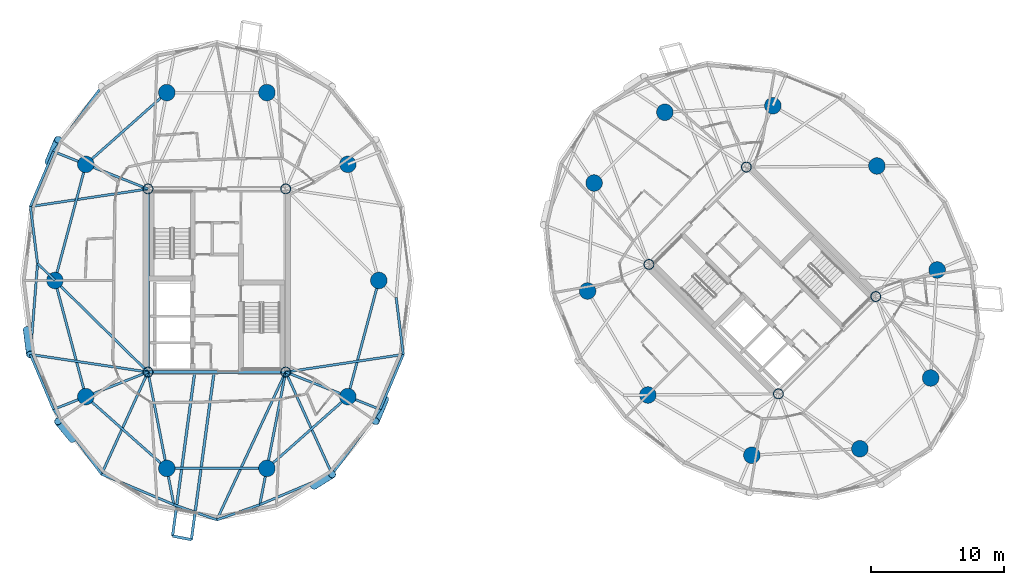
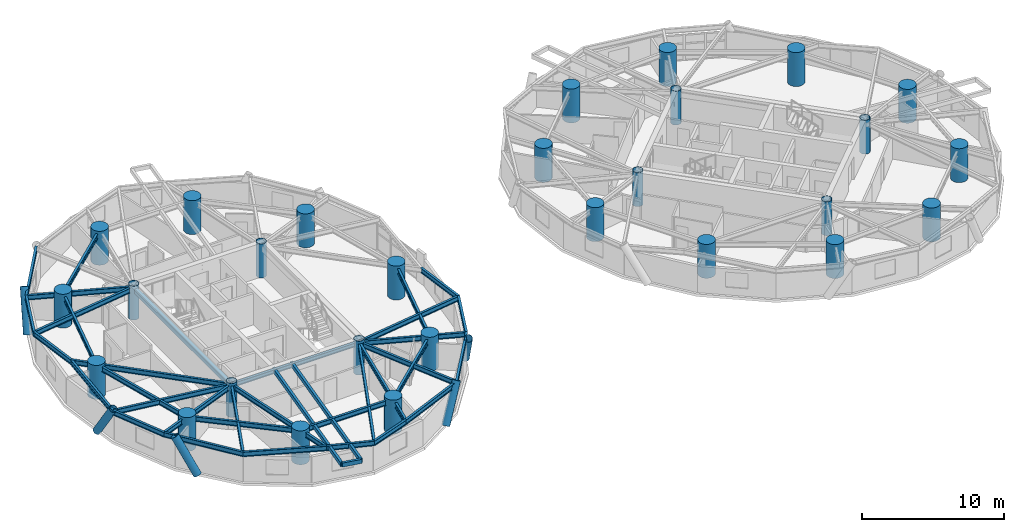
# One storey, part 1 of 18: 38 beams, 28 columns, 5 members.
"""IFC4 building model written with IfcOpenShell, lengths in metres."""

from ifc_helpers import new_model, si_unit, direction, frame, origin, origin_2d, place, context, subcontext, project, spatial, hollow_rectangle, circle, hollow_circle, i_section, extrude, material, material_profile, profile_set, type_object, element, save


model = new_model("IFC4")

# Units and contexts
model_context = context("Model", 3, precision=1e-05, world=origin(), true_north=direction((0.0, 1.0)))
body_context = subcontext(model_context, "Body", "Model", "MODEL_VIEW")
ifc_project = project(units=[si_unit("LENGTHUNIT", "METRE"), si_unit("AREAUNIT", "SQUARE_METRE"), si_unit("VOLUMEUNIT", "CUBIC_METRE"), si_unit("PLANEANGLEUNIT", "RADIAN"), si_unit("MASSUNIT", "GRAM", prefix="KILO")], contexts=[model_context])

# Site, building, storey
site_placement = place(None, origin())
site = spatial("IfcSite", under=ifc_project, at=site_placement, CompositionType="ELEMENT")
building_placement = place(site_placement, origin())
building = spatial("IfcBuilding", under=site, at=building_placement, Name="Cununo Teusaquillo Station Towers", CompositionType="ELEMENT")
storey_placement = place(building_placement, frame((0.0, 0.0, 157.419921875)))
storey = spatial("IfcBuildingStorey", under=building, at=storey_placement, Name="L49", CompositionType="ELEMENT", Elevation=157.419921875)

# Columns
ifc_material_1 = material(Name="Steel EN 10025-2 S355J2", Category="steel")
ifc_material_profile_1 = material_profile(ifc_material_1, hollow_circle(Radius=0.3798828125, WallThickness=0.031982421875, at=origin_2d()), Name="CHS 760x32")
ifc_profile_set_1 = profile_set([ifc_material_profile_1], Name="Steel EN 10025-2 S355J2")
column_type_1 = type_object("IfcColumnType", Name="COL-CORE-Z2", PredefinedType="COLUMN", material=ifc_profile_set_1)
for number, where, z_axis, x_axis, name in (
    (1, (11.324951171875, 17.6201171875, 0.0), (0.0, 0.0, 1.0), (1.0, 0.0, 0.0), "L49 Tower A Core Column 1"),
    (2, (11.324951171875, 31.3798828125, 0.0), (0.0, 0.0, 1.0), (1.0, 0.0, 0.0), "L49 Tower A Core Column 2"),
    (3, (21.675048828125, 17.6201171875, 0.0), (0.0, 0.0, 1.0), (1.0, 0.0, 0.0), "L49 Tower A Core Column 3"),
    (4, (21.675048828125, 31.3798828125, 0.0), (0.0, 0.0, 1.0), (1.0, 0.0, 0.0), "L49 Tower A Core Column 4"),
    (5, (58.70556640625, 15.975830078125, 0.0), (0.0, 0.0, 1.0), (0.707106781187, 0.707106781187, 0.0), "L49 Tower B Core Column 1"),
    (6, (48.975830078125, 25.70556640625, 0.0), (0.0, 0.0, 1.0), (0.707106781187, 0.707106781187, 0.0), "L49 Tower B Core Column 2"),
    (7, (66.024169921875, 23.29443359375, 0.0), (0.0, 0.0, 1.0), (0.707106781187, 0.707106781187, 0.0), "L49 Tower B Core Column 3"),
    (8, (56.29443359375, 33.024169921875, 0.0), (0.0, 0.0, 1.0), (0.707106781187, 0.707106781187, 0.0), "L49 Tower B Core Column 4"),
):
    element("IfcColumn", number, at=place(storey_placement, frame(where, z_axis=z_axis, x_axis=x_axis)), inside=storey, type_object=column_type_1, Name=name, PredefinedType="COLUMN", context=body_context, shape_type="SweptSolid", body=[
        extrude(hollow_circle(Radius=0.3798828125, WallThickness=0.031982421875, at=origin_2d()), origin(), (0.0, 0.0, 1.0), 2.91015625),
    ])
ifc_material_2 = material(Name="Concrete C60/75", Category="concrete")
ifc_material_profile_2 = material_profile(ifc_material_2, circle(Radius=0.625, at=origin_2d()), Name="RC-CIRC-1250")
ifc_profile_set_2 = profile_set([ifc_material_profile_2], Name="Concrete C60/75")
column_type_2 = type_object("IfcColumnType", Name="COL-MEGA-Z3", PredefinedType="USERDEFINED", material=ifc_profile_set_2)
for number, where, z_axis, x_axis, name in (
    (9, (28.672119140625, 24.5, 0.0), (0.0, 0.0, 1.0), (1.0, 0.0, 0.0), "L49 Tower A Perimeter Column V00"),
    (10, (26.347412109375, 33.228515625, 0.0), (0.0, 0.0, 1.0), (1.0, 0.0, 0.0), "L49 Tower A Perimeter Column V02"),
    (11, (20.261474609375, 38.623291015625, 0.0), (0.0, 0.0, 1.0), (1.0, 0.0, 0.0), "L49 Tower A Perimeter Column V04"),
    (12, (12.738525390625, 38.623291015625, 0.0), (0.0, 0.0, 1.0), (1.0, 0.0, 0.0), "L49 Tower A Perimeter Column V06"),
    (13, (6.652587890625, 33.228515625, 0.0), (0.0, 0.0, 1.0), (1.0, 0.0, 0.0), "L49 Tower A Perimeter Column V08"),
    (14, (4.327880859375, 24.5, 0.0), (0.0, 0.0, 1.0), (1.0, 0.0, 0.0), "L49 Tower A Perimeter Column V10"),
    (15, (6.652587890625, 15.771484375, 0.0), (0.0, 0.0, 1.0), (1.0, 0.0, 0.0), "L49 Tower A Perimeter Column V12"),
    (16, (12.738525390625, 10.376708984375, 0.0), (0.0, 0.0, 1.0), (1.0, 0.0, 0.0), "L49 Tower A Perimeter Column V14"),
    (17, (20.261474609375, 10.376708984375, 0.0), (0.0, 0.0, 1.0), (1.0, 0.0, 0.0), "L49 Tower A Perimeter Column V16"),
    (18, (26.347412109375, 15.771484375, 0.0), (0.0, 0.0, 1.0), (1.0, 0.0, 0.0), "L49 Tower A Perimeter Column V18"),
    (19, (66.10693359375, 33.10693359375, 0.0), (0.0, 0.0, 1.0), (1.0, 0.0, 0.0), "L49 Tower B Perimeter Column V00"),
    (20, (58.291015625, 37.63525390625, 0.0), (0.0, 0.0, 1.0), (1.0, 0.0, 0.0), "L49 Tower B Perimeter Column V02"),
    (21, (50.173095703125, 37.146240234375, 0.0), (0.0, 0.0, 1.0), (1.0, 0.0, 0.0), "L49 Tower B Perimeter Column V04"),
    (22, (44.853759765625, 31.826904296875, 0.0), (0.0, 0.0, 1.0), (1.0, 0.0, 0.0), "L49 Tower B Perimeter Column V06"),
    (23, (44.36474609375, 23.708984375, 0.0), (0.0, 0.0, 1.0), (1.0, 0.0, 0.0), "L49 Tower B Perimeter Column V08"),
    (24, (48.89306640625, 15.89306640625, 0.0), (0.0, 0.0, 1.0), (1.0, 0.0, 0.0), "L49 Tower B Perimeter Column V10"),
    (25, (56.708984375, 11.36474609375, 0.0), (0.0, 0.0, 1.0), (1.0, 0.0, 0.0), "L49 Tower B Perimeter Column V12"),
    (26, (64.826904296875, 11.853759765625, 0.0), (0.0, 0.0, 1.0), (1.0, 0.0, 0.0), "L49 Tower B Perimeter Column V14"),
    (27, (70.146240234375, 17.173095703125, 0.0), (0.0, 0.0, 1.0), (1.0, 0.0, 0.0), "L49 Tower B Perimeter Column V16"),
    (28, (70.63525390625, 25.291015625, 0.0), (0.0, 0.0, 1.0), (1.0, 0.0, 0.0), "L49 Tower B Perimeter Column V18"),
):
    element("IfcColumn", number, at=place(storey_placement, frame(where, z_axis=z_axis, x_axis=x_axis)), inside=storey, type_object=column_type_2, Name=name, ObjectType="MEGA COLUMN", PredefinedType="USERDEFINED", context=body_context, shape_type="SweptSolid", body=[
        extrude(circle(Radius=0.625, at=origin_2d()), origin(), (0.0, 0.0, 1.0), 2.91015625),
    ])

# Beams
ifc_material_3 = material(Name="Steel EN 10025-2 S355J2", Category="steel")
ifc_material_profile_3 = material_profile(ifc_material_3, hollow_rectangle(XDim=0.199951171875, YDim=0.35009765625, WallThickness=0.013916015625, at=origin_2d()), Name="RHS 350x200x14")
ifc_profile_set_3 = profile_set([ifc_material_profile_3], Name="Steel EN 10025-2 S355J2")
beam_type_1 = type_object("IfcBeamType", Name="BM-BAL-CANT", PredefinedType="BEAM", material=ifc_profile_set_3)
beam_1_placement = place(storey_placement, frame((14.872314453125, 17.85009765625, 2.51513671875), z_axis=(-0.134274846508, -0.990944128392, 0.0), x_axis=(0.990944128392, -0.134274846508, 0.0)))
element("IfcBeam", 29, at=beam_1_placement, inside=storey, type_object=beam_type_1, Name="L49 Tower A Balcony Cantilever Bracket 2A", PredefinedType="BEAM", context=body_context, shape_type="SweptSolid", body=[
    extrude(hollow_rectangle(XDim=0.199951171875, YDim=0.35009765625, WallThickness=0.013916015625, at=origin_2d()), origin(), (0.0, 0.0, 1.0), 12.671142578125),
])
beam_2_placement = place(storey_placement, frame((16.325439453125, 17.85009765625, 2.51513671875), z_axis=(-0.13427925042, -0.990943531644, 0.0), x_axis=(0.990943531644, -0.13427925042, 0.0)))
element("IfcBeam", 30, at=beam_2_placement, inside=storey, type_object=beam_type_1, Name="L49 Tower A Balcony Cantilever Bracket 2B", PredefinedType="BEAM", context=body_context, shape_type="SweptSolid", body=[
    extrude(hollow_rectangle(XDim=0.199951171875, YDim=0.35009765625, WallThickness=0.013916015625, at=origin_2d()), origin(), (0.0, 0.0, 1.0), 12.947021484375),
])
ifc_material_4 = material(Name="Steel EN 10025-2 S355J2", Category="steel")
ifc_material_profile_4 = material_profile(ifc_material_4, hollow_rectangle(XDim=0.25, YDim=0.449951171875, WallThickness=0.01611328125, at=origin_2d()), Name="RHS 450x250x16")
ifc_profile_set_4 = profile_set([ifc_material_profile_4], Name="Steel EN 10025-2 S355J2")
beam_type_2 = type_object("IfcBeamType", Name="BM-COUP-1", PredefinedType="USERDEFINED", material=ifc_profile_set_4)
beam_3_placement = place(storey_placement, frame((11.324951171875, 17.6201171875, 2.465087890625), z_axis=(0.0, 1.0, 0.0), x_axis=(-1.0, 0.0, 0.0)))
element("IfcBeam", 31, at=beam_3_placement, inside=storey, type_object=beam_type_2, Name="L49 Tower A Core Beam 1", ObjectType="COUPLING BEAM", PredefinedType="USERDEFINED", context=body_context, shape_type="SweptSolid", body=[
    extrude(hollow_rectangle(XDim=0.25, YDim=0.449951171875, WallThickness=0.01611328125, at=origin_2d()), origin(), (0.0, 0.0, 1.0), 13.759765625),
])
ifc_material_5 = material(Name="Steel ASTM A572 Grade 50", Category="steel")
ifc_material_profile_5 = material_profile(ifc_material_5, i_section(OverallWidth=0.180908203125, OverallDepth=0.4169921875, WebThickness=0.010986328125, FlangeThickness=0.018310546875, FilletRadius=0.012939453125, at=origin_2d()), Name="W16X57")
ifc_profile_set_5 = profile_set([ifc_material_profile_5], Name="Steel ASTM A572 Grade 50")
beam_type_3 = type_object("IfcBeamType", Name="BM-JOIST-1", PredefinedType="JOIST", material=ifc_profile_set_5)
for number, where, z_axis, x_axis, name in (
    (32, (11.324951171875, 31.3798828125, 2.481689453125), (-0.989018754675, -0.147790063606, 0.0), (0.147790063606, -0.989018754675, 0.0), "L49 Tower A Radial Spandrel Joist V09"),
    (33, (11.324951171875, 17.6201171875, 2.481689453125), (-0.989018754675, 0.147790063606, 0.0), (-0.147790063606, -0.989018754675, 0.0), "L49 Tower A Radial Spandrel Joist V11"),
):
    element("IfcBeam", number, at=place(storey_placement, frame(where, z_axis=z_axis, x_axis=x_axis)), inside=storey, type_object=beam_type_3, Name=name, PredefinedType="JOIST", context=body_context, shape_type="SweptSolid", body=[
        extrude(i_section(OverallWidth=0.180908203125, OverallDepth=0.4169921875, WebThickness=0.010986328125, FlangeThickness=0.018310546875, FilletRadius=0.012939453125, at=origin_2d()), origin(), (0.0, 0.0, 1.0), 8.93701171875),
    ])
beam_4_placement = place(storey_placement, frame((11.324951171875, 17.6201171875, 2.481689453125), z_axis=(-0.413558514621, -0.910477542274, 0.0), x_axis=(0.910477542274, -0.413558514621, 0.0)))
element("IfcBeam", 34, at=beam_4_placement, inside=storey, type_object=beam_type_3, Name="L49 Tower A Radial Spandrel Joist V13", PredefinedType="JOIST", context=body_context, shape_type="SweptSolid", body=[
    extrude(i_section(OverallWidth=0.180908203125, OverallDepth=0.4169921875, WebThickness=0.010986328125, FlangeThickness=0.018310546875, FilletRadius=0.012939453125, at=origin_2d()), origin(), (0.0, 0.0, 1.0), 8.428955078125),
])
beam_5_placement = place(storey_placement, frame((21.675048828125, 17.6201171875, 2.481689453125), z_axis=(-0.422237603969, -0.906485193368, 0.0), x_axis=(0.906485193368, -0.422237603969, 0.0)))
element("IfcBeam", 35, at=beam_5_placement, inside=storey, type_object=beam_type_3, Name="L49 Tower A Radial Spandrel Joist V15", PredefinedType="JOIST", context=body_context, shape_type="SweptSolid", body=[
    extrude(i_section(OverallWidth=0.180908203125, OverallDepth=0.4169921875, WebThickness=0.010986328125, FlangeThickness=0.018310546875, FilletRadius=0.012939453125, at=origin_2d()), origin(), (0.0, 0.0, 1.0), 12.25634765625),
])
beam_6_placement = place(storey_placement, frame((21.675048828125, 17.6201171875, 2.481689453125), z_axis=(0.413558514621, -0.910477542274, 0.0), x_axis=(0.910477542274, 0.413558514621, 0.0)))
element("IfcBeam", 36, at=beam_6_placement, inside=storey, type_object=beam_type_3, Name="L49 Tower A Radial Spandrel Joist V17", PredefinedType="JOIST", context=body_context, shape_type="SweptSolid", body=[
    extrude(i_section(OverallWidth=0.180908203125, OverallDepth=0.4169921875, WebThickness=0.010986328125, FlangeThickness=0.018310546875, FilletRadius=0.012939453125, at=origin_2d()), origin(), (0.0, 0.0, 1.0), 8.428955078125),
])
beam_7_placement = place(storey_placement, frame((21.675048828125, 17.6201171875, 2.481689453125), z_axis=(0.989018754675, 0.147790063606, 0.0), x_axis=(-0.147790063606, 0.989018754675, 0.0)))
element("IfcBeam", 37, at=beam_7_placement, inside=storey, type_object=beam_type_3, Name="L49 Tower A Radial Spandrel Joist V19", PredefinedType="JOIST", context=body_context, shape_type="SweptSolid", body=[
    extrude(i_section(OverallWidth=0.180908203125, OverallDepth=0.4169921875, WebThickness=0.010986328125, FlangeThickness=0.018310546875, FilletRadius=0.012939453125, at=origin_2d()), origin(), (0.0, 0.0, 1.0), 8.93701171875),
])
ifc_material_6 = material(Name="Steel ASTM A572 Grade 50", Category="steel")
ifc_material_profile_6 = material_profile(ifc_material_6, i_section(OverallWidth=0.2041015625, OverallDepth=0.35009765625, WebThickness=0.008544921875, FlangeThickness=0.01513671875, FilletRadius=0.011962890625, at=origin_2d()), Name="W14X48")
ifc_profile_set_6 = profile_set([ifc_material_profile_6], Name="Steel ASTM A572 Grade 50")
beam_type_4 = type_object("IfcBeamType", Name="BM-LINTEL-1", PredefinedType="LINTEL", material=ifc_profile_set_6)
beam_8_placement = place(storey_placement, frame((11.324951171875, 17.6201171875, 2.51513671875), z_axis=(1.0, 0.0, 0.0), x_axis=(0.0, 1.0, 0.0)))
element("IfcBeam", 38, at=beam_8_placement, inside=storey, type_object=beam_type_4, Name="L49 Tower A Core Beam 3", PredefinedType="LINTEL", context=body_context, shape_type="SweptSolid", body=[
    extrude(i_section(OverallWidth=0.2041015625, OverallDepth=0.35009765625, WebThickness=0.008544921875, FlangeThickness=0.01513671875, FilletRadius=0.011962890625, at=origin_2d()), origin(), (0.0, 0.0, 1.0), 10.35009765625),
])
ifc_material_7 = material(Name="Steel ASTM A572 Grade 50", Category="steel")
ifc_material_profile_7 = material_profile(ifc_material_7, i_section(OverallWidth=0.180908203125, OverallDepth=0.4169921875, WebThickness=0.010986328125, FlangeThickness=0.018310546875, FilletRadius=0.012939453125, at=origin_2d()), Name="W16X57")
ifc_profile_set_7 = profile_set([ifc_material_profile_7], Name="Steel ASTM A572 Grade 50")
beam_type_5 = type_object("IfcBeamType", Name="BM-RAD-G2", PredefinedType="BEAM", material=ifc_profile_set_7)
beam_9_placement = place(storey_placement, frame((11.324951171875, 31.3798828125, 2.481689453125), z_axis=(-0.929862250459, 0.367907862341, 0.0), x_axis=(-0.367907862341, -0.929862250459, 0.0)))
element("IfcBeam", 39, at=beam_9_placement, inside=storey, type_object=beam_type_5, Name="L49 Tower A Continuous Overhanging Radial Girder 05", PredefinedType="BEAM", context=body_context, shape_type="SweptSolid", body=[
    extrude(i_section(OverallWidth=0.180908203125, OverallDepth=0.4169921875, WebThickness=0.010986328125, FlangeThickness=0.018310546875, FilletRadius=0.012939453125, at=origin_2d()), origin(), (0.0, 0.0, 1.0), 7.632080078125),
])
beam_10_placement = place(storey_placement, frame((11.324951171875, 17.6201171875, 2.481689453125), z_axis=(-0.713052701438, 0.701110437073, 0.0), x_axis=(-0.701110437073, -0.713052701438, 0.0)))
element("IfcBeam", 40, at=beam_10_placement, inside=storey, type_object=beam_type_5, Name="L49 Tower A Radial Girder 06A", PredefinedType="BEAM", context=body_context, shape_type="SweptSolid", body=[
    extrude(i_section(OverallWidth=0.180908203125, OverallDepth=0.4169921875, WebThickness=0.010986328125, FlangeThickness=0.018310546875, FilletRadius=0.012939453125, at=origin_2d()), origin(), (0.0, 0.0, 1.0), 9.812744140625),
])
beam_11_placement = place(storey_placement, frame((4.327880859375, 24.5, 2.481689453125), z_axis=(-0.713027019349, 0.701136555657, 0.0), x_axis=(-0.701136555657, -0.713027019349, 0.0)))
element("IfcBeam", 41, at=beam_11_placement, inside=storey, type_object=beam_type_5, Name="L49 Tower A Perimeter Overhang Girder 06B", PredefinedType="BEAM", context=body_context, shape_type="SweptSolid", body=[
    extrude(i_section(OverallWidth=0.180908203125, OverallDepth=0.4169921875, WebThickness=0.010986328125, FlangeThickness=0.018310546875, FilletRadius=0.012939453125, at=origin_2d()), origin(), (0.0, 0.0, 1.0), 1.827392578125),
])
beam_12_placement = place(storey_placement, frame((11.324951171875, 17.6201171875, 2.481689453125), z_axis=(-0.929862250459, -0.367907862341, 0.0), x_axis=(0.367907862341, -0.929862250459, 0.0)))
element("IfcBeam", 42, at=beam_12_placement, inside=storey, type_object=beam_type_5, Name="L49 Tower A Continuous Overhanging Radial Girder 07", PredefinedType="BEAM", context=body_context, shape_type="SweptSolid", body=[
    extrude(i_section(OverallWidth=0.180908203125, OverallDepth=0.4169921875, WebThickness=0.010986328125, FlangeThickness=0.018310546875, FilletRadius=0.012939453125, at=origin_2d()), origin(), (0.0, 0.0, 1.0), 7.632080078125),
])
for number, where, z_axis, x_axis, name in (
    (43, (11.324951171875, 17.6201171875, 2.481689453125), (0.191552706487, -0.981482328235, 0.0), (0.981482328235, 0.191552706487, 0.0), "L49 Tower A Continuous Overhanging Radial Girder 08"),
    (44, (21.675048828125, 17.6201171875, 2.481689453125), (-0.191552706487, -0.981482328235, 0.0), (0.981482328235, -0.191552706487, 0.0), "L49 Tower A Continuous Overhanging Radial Girder 09"),
):
    element("IfcBeam", number, at=place(storey_placement, frame(where, z_axis=z_axis, x_axis=x_axis)), inside=storey, type_object=beam_type_5, Name=name, PredefinedType="BEAM", context=body_context, shape_type="SweptSolid", body=[
        extrude(i_section(OverallWidth=0.180908203125, OverallDepth=0.4169921875, WebThickness=0.010986328125, FlangeThickness=0.018310546875, FilletRadius=0.012939453125, at=origin_2d()), origin(), (0.0, 0.0, 1.0), 10.159423828125),
    ])
beam_13_placement = place(storey_placement, frame((21.675048828125, 17.6201171875, 2.481689453125), z_axis=(0.929862250459, -0.367907862341, 0.0), x_axis=(0.367907862341, 0.929862250459, 0.0)))
element("IfcBeam", 45, at=beam_13_placement, inside=storey, type_object=beam_type_5, Name="L49 Tower A Continuous Overhanging Radial Girder 10", PredefinedType="BEAM", context=body_context, shape_type="SweptSolid", body=[
    extrude(i_section(OverallWidth=0.180908203125, OverallDepth=0.4169921875, WebThickness=0.010986328125, FlangeThickness=0.018310546875, FilletRadius=0.012939453125, at=origin_2d()), origin(), (0.0, 0.0, 1.0), 7.632080078125),
])
ifc_material_8 = material(Name="Steel ASTM A572 Grade 50", Category="steel")
ifc_material_profile_8 = material_profile(ifc_material_8, i_section(OverallWidth=0.180908203125, OverallDepth=0.4169921875, WebThickness=0.010986328125, FlangeThickness=0.018310546875, FilletRadius=0.012939453125, at=origin_2d()), Name="W16X57")
ifc_profile_set_8 = profile_set([ifc_material_profile_8], Name="Steel ASTM A572 Grade 50")
beam_type_6 = type_object("IfcBeamType", Name="BM-RING-Z3", PredefinedType="SPANDREL", material=ifc_profile_set_8)
beam_14_placement = place(storey_placement, frame((12.738525390625, 38.623291015625, 2.481689453125), z_axis=(-0.74832120039, -0.66333655187, 0.0), x_axis=(0.66333655187, -0.74832120039, 0.0)))
element("IfcBeam", 46, at=beam_14_placement, inside=storey, type_object=beam_type_6, Name="L49 Tower A Structural Column Ring Girder 04", PredefinedType="SPANDREL", context=body_context, shape_type="SweptSolid", body=[
    extrude(i_section(OverallWidth=0.180908203125, OverallDepth=0.4169921875, WebThickness=0.010986328125, FlangeThickness=0.018310546875, FilletRadius=0.012939453125, at=origin_2d()), origin(), (0.0, 0.0, 1.0), 8.1328125),
])
for number, where, z_axis, x_axis, name in (
    (47, (6.652587890625, 33.228515625, 2.481689453125), (-0.257363196347, -0.966314744359, 0.0), (0.966314744359, -0.257363196347, 0.0), "L49 Tower A Structural Column Ring Girder 05"),
    (48, (4.327880859375, 24.5, 2.481689453125), (0.257363196347, -0.966314744359, 0.0), (0.966314744359, 0.257363196347, 0.0), "L49 Tower A Structural Column Ring Girder 06"),
):
    element("IfcBeam", number, at=place(storey_placement, frame(where, z_axis=z_axis, x_axis=x_axis)), inside=storey, type_object=beam_type_6, Name=name, PredefinedType="SPANDREL", context=body_context, shape_type="SweptSolid", body=[
        extrude(i_section(OverallWidth=0.180908203125, OverallDepth=0.4169921875, WebThickness=0.010986328125, FlangeThickness=0.018310546875, FilletRadius=0.012939453125, at=origin_2d()), origin(), (0.0, 0.0, 1.0), 9.03271484375),
    ])
beam_15_placement = place(storey_placement, frame((6.652587890625, 15.771484375, 2.481689453125), z_axis=(0.74832120039, -0.66333655187, 0.0), x_axis=(0.66333655187, 0.74832120039, 0.0)))
element("IfcBeam", 49, at=beam_15_placement, inside=storey, type_object=beam_type_6, Name="L49 Tower A Structural Column Ring Girder 07", PredefinedType="SPANDREL", context=body_context, shape_type="SweptSolid", body=[
    extrude(i_section(OverallWidth=0.180908203125, OverallDepth=0.4169921875, WebThickness=0.010986328125, FlangeThickness=0.018310546875, FilletRadius=0.012939453125, at=origin_2d()), origin(), (0.0, 0.0, 1.0), 8.1328125),
])
beam_16_placement = place(storey_placement, frame((12.738525390625, 10.376708984375, 2.481689453125), z_axis=(1.0, 0.0, 0.0), x_axis=(0.0, 1.0, 0.0)))
element("IfcBeam", 50, at=beam_16_placement, inside=storey, type_object=beam_type_6, Name="L49 Tower A Structural Column Ring Girder 08", PredefinedType="SPANDREL", context=body_context, shape_type="SweptSolid", body=[
    extrude(i_section(OverallWidth=0.180908203125, OverallDepth=0.4169921875, WebThickness=0.010986328125, FlangeThickness=0.018310546875, FilletRadius=0.012939453125, at=origin_2d()), origin(), (0.0, 0.0, 1.0), 7.52294921875),
])
beam_17_placement = place(storey_placement, frame((20.261474609375, 10.376708984375, 2.481689453125), z_axis=(0.74832120039, 0.66333655187, 0.0), x_axis=(-0.66333655187, 0.74832120039, 0.0)))
element("IfcBeam", 51, at=beam_17_placement, inside=storey, type_object=beam_type_6, Name="L49 Tower A Structural Column Ring Girder 09", PredefinedType="SPANDREL", context=body_context, shape_type="SweptSolid", body=[
    extrude(i_section(OverallWidth=0.180908203125, OverallDepth=0.4169921875, WebThickness=0.010986328125, FlangeThickness=0.018310546875, FilletRadius=0.012939453125, at=origin_2d()), origin(), (0.0, 0.0, 1.0), 8.1328125),
])
beam_18_placement = place(storey_placement, frame((26.347412109375, 15.771484375, 2.481689453125), z_axis=(0.257363196347, 0.966314744359, 0.0), x_axis=(-0.966314744359, 0.257363196347, 0.0)))
element("IfcBeam", 52, at=beam_18_placement, inside=storey, type_object=beam_type_6, Name="L49 Tower A Structural Column Ring Girder 10", PredefinedType="SPANDREL", context=body_context, shape_type="SweptSolid", body=[
    extrude(i_section(OverallWidth=0.180908203125, OverallDepth=0.4169921875, WebThickness=0.010986328125, FlangeThickness=0.018310546875, FilletRadius=0.012939453125, at=origin_2d()), origin(), (0.0, 0.0, 1.0), 9.03271484375),
])
beam_19_placement = place(storey_placement, frame((7.839111328125, 39.05419921875, 2.481689453125), z_axis=(-0.595872908853, -0.803078748626, 0.0), x_axis=(0.803078748626, -0.595872908853, 0.0)))
element("IfcBeam", 53, at=beam_19_placement, inside=storey, type_object=beam_type_6, Name="L49 Tower A Spandrel Ring Beam 08", PredefinedType="SPANDREL", context=body_context, shape_type="SweptSolid", body=[
    extrude(i_section(OverallWidth=0.180908203125, OverallDepth=0.4169921875, WebThickness=0.010986328125, FlangeThickness=0.018310546875, FilletRadius=0.012939453125, at=origin_2d()), origin(), (0.0, 0.0, 1.0), 6.059814453125),
])
beam_20_placement = place(storey_placement, frame((4.228271484375, 34.187744140625, 2.481689453125), z_axis=(-0.388777827816, -0.921331536744, 0.0), x_axis=(0.921331536744, -0.388777827816, 0.0)))
element("IfcBeam", 54, at=beam_20_placement, inside=storey, type_object=beam_type_6, Name="L49 Tower A Spandrel Ring Beam 09", PredefinedType="SPANDREL", context=body_context, shape_type="SweptSolid", body=[
    extrude(i_section(OverallWidth=0.180908203125, OverallDepth=0.4169921875, WebThickness=0.010986328125, FlangeThickness=0.018310546875, FilletRadius=0.012939453125, at=origin_2d()), origin(), (0.0, 0.0, 1.0), 4.481201171875),
])
beam_21_placement = place(storey_placement, frame((2.486083984375, 30.05908203125, 2.481689453125), z_axis=(0.124968535363, -0.992160705314, 0.0), x_axis=(0.992160705314, 0.124968535363, 0.0)))
element("IfcBeam", 55, at=beam_21_placement, inside=storey, type_object=beam_type_6, Name="L49 Tower A Spandrel Ring Beam 10", PredefinedType="SPANDREL", context=body_context, shape_type="SweptSolid", body=[
    extrude(i_section(OverallWidth=0.180908203125, OverallDepth=0.4169921875, WebThickness=0.010986328125, FlangeThickness=0.018310546875, FilletRadius=0.012939453125, at=origin_2d()), origin(), (0.0, 0.0, 1.0), 4.3115234375),
])
beam_22_placement = place(storey_placement, frame((3.02490234375, 25.78125, 2.481689453125), z_axis=(-0.078527541639, -0.996911944559, 0.0), x_axis=(0.996911944559, -0.078527541639, 0.0)))
element("IfcBeam", 56, at=beam_22_placement, inside=storey, type_object=beam_type_6, Name="L49 Tower A Spandrel Ring Beam 11", PredefinedType="SPANDREL", context=body_context, shape_type="SweptSolid", body=[
    extrude(i_section(OverallWidth=0.180908203125, OverallDepth=0.4169921875, WebThickness=0.010986328125, FlangeThickness=0.018310546875, FilletRadius=0.012939453125, at=origin_2d()), origin(), (0.0, 0.0, 1.0), 6.861572265625),
])
beam_23_placement = place(storey_placement, frame((2.486083984375, 18.94091796875, 2.481689453125), z_axis=(0.388777827816, -0.921331536744, 0.0), x_axis=(0.921331536744, 0.388777827816, 0.0)))
element("IfcBeam", 57, at=beam_23_placement, inside=storey, type_object=beam_type_6, Name="L49 Tower A Spandrel Ring Beam 12", PredefinedType="SPANDREL", context=body_context, shape_type="SweptSolid", body=[
    extrude(i_section(OverallWidth=0.180908203125, OverallDepth=0.4169921875, WebThickness=0.010986328125, FlangeThickness=0.018310546875, FilletRadius=0.012939453125, at=origin_2d()), origin(), (0.0, 0.0, 1.0), 4.481201171875),
])
beam_24_placement = place(storey_placement, frame((4.228271484375, 14.812255859375, 2.481689453125), z_axis=(0.595872908853, -0.803078748626, 0.0), x_axis=(0.803078748626, 0.595872908853, 0.0)))
element("IfcBeam", 58, at=beam_24_placement, inside=storey, type_object=beam_type_6, Name="L49 Tower A Spandrel Ring Beam 13", PredefinedType="SPANDREL", context=body_context, shape_type="SweptSolid", body=[
    extrude(i_section(OverallWidth=0.180908203125, OverallDepth=0.4169921875, WebThickness=0.010986328125, FlangeThickness=0.018310546875, FilletRadius=0.012939453125, at=origin_2d()), origin(), (0.0, 0.0, 1.0), 6.059814453125),
])
beam_25_placement = place(storey_placement, frame((7.839111328125, 9.94580078125, 2.481689453125), z_axis=(0.921042081118, -0.38946307246, 0.0), x_axis=(0.38946307246, 0.921042081118, 0.0)))
element("IfcBeam", 59, at=beam_25_placement, inside=storey, type_object=beam_type_6, Name="L49 Tower A Spandrel Ring Beam 14", PredefinedType="SPANDREL", context=body_context, shape_type="SweptSolid", body=[
    extrude(i_section(OverallWidth=0.180908203125, OverallDepth=0.4169921875, WebThickness=0.010986328125, FlangeThickness=0.018310546875, FilletRadius=0.012939453125, at=origin_2d()), origin(), (0.0, 0.0, 1.0), 5.8974609375),
])
for number, where, z_axis, x_axis, name in (
    (60, (13.27099609375, 7.64892578125, 2.481689453125), (0.943057449198, -0.332629895698, 0.0), (0.332629895698, 0.943057449198, 0.0), "L49 Tower A Spandrel Ring Beam 15"),
    (61, (16.5, 6.510009765625, 2.481689453125), (0.943057449198, 0.332629895698, 0.0), (-0.332629895698, 0.943057449198, 0.0), "L49 Tower A Spandrel Ring Beam 16"),
):
    element("IfcBeam", number, at=place(storey_placement, frame(where, z_axis=z_axis, x_axis=x_axis)), inside=storey, type_object=beam_type_6, Name=name, PredefinedType="SPANDREL", context=body_context, shape_type="SweptSolid", body=[
        extrude(i_section(OverallWidth=0.180908203125, OverallDepth=0.4169921875, WebThickness=0.010986328125, FlangeThickness=0.018310546875, FilletRadius=0.012939453125, at=origin_2d()), origin(), (0.0, 0.0, 1.0), 3.424072265625),
    ])
beam_26_placement = place(storey_placement, frame((19.72900390625, 7.64892578125, 2.481689453125), z_axis=(0.921042081118, 0.38946307246, 0.0), x_axis=(-0.38946307246, 0.921042081118, 0.0)))
element("IfcBeam", 62, at=beam_26_placement, inside=storey, type_object=beam_type_6, Name="L49 Tower A Spandrel Ring Beam 17", PredefinedType="SPANDREL", context=body_context, shape_type="SweptSolid", body=[
    extrude(i_section(OverallWidth=0.180908203125, OverallDepth=0.4169921875, WebThickness=0.010986328125, FlangeThickness=0.018310546875, FilletRadius=0.012939453125, at=origin_2d()), origin(), (0.0, 0.0, 1.0), 5.8974609375),
])
beam_27_placement = place(storey_placement, frame((25.160888671875, 9.94580078125, 2.481689453125), z_axis=(0.595872908853, 0.803078748626, 0.0), x_axis=(-0.803078748626, 0.595872908853, 0.0)))
element("IfcBeam", 63, at=beam_27_placement, inside=storey, type_object=beam_type_6, Name="L49 Tower A Spandrel Ring Beam 18", PredefinedType="SPANDREL", context=body_context, shape_type="SweptSolid", body=[
    extrude(i_section(OverallWidth=0.180908203125, OverallDepth=0.4169921875, WebThickness=0.010986328125, FlangeThickness=0.018310546875, FilletRadius=0.012939453125, at=origin_2d()), origin(), (0.0, 0.0, 1.0), 6.059814453125),
])
beam_28_placement = place(storey_placement, frame((28.771728515625, 14.812255859375, 2.481689453125), z_axis=(0.388777827816, 0.921331536744, 0.0), x_axis=(-0.921331536744, 0.388777827816, 0.0)))
element("IfcBeam", 64, at=beam_28_placement, inside=storey, type_object=beam_type_6, Name="L49 Tower A Spandrel Ring Beam 19", PredefinedType="SPANDREL", context=body_context, shape_type="SweptSolid", body=[
    extrude(i_section(OverallWidth=0.180908203125, OverallDepth=0.4169921875, WebThickness=0.010986328125, FlangeThickness=0.018310546875, FilletRadius=0.012939453125, at=origin_2d()), origin(), (0.0, 0.0, 1.0), 4.481201171875),
])
beam_29_placement = place(storey_placement, frame((30.513916015625, 18.94091796875, 2.481689453125), z_axis=(-0.124968535363, 0.992160705314, 0.0), x_axis=(-0.992160705314, -0.124968535363, 0.0)))
element("IfcBeam", 65, at=beam_29_placement, inside=storey, type_object=beam_type_6, Name="L49 Tower A Spandrel Ring Beam 20", PredefinedType="SPANDREL", context=body_context, shape_type="SweptSolid", body=[
    extrude(i_section(OverallWidth=0.180908203125, OverallDepth=0.4169921875, WebThickness=0.010986328125, FlangeThickness=0.018310546875, FilletRadius=0.012939453125, at=origin_2d()), origin(), (0.0, 0.0, 1.0), 4.3115234375),
])
ifc_material_9 = material(Name="Steel EN 10025-2 S355J2", Category="steel")
ifc_material_profile_9 = material_profile(ifc_material_9, hollow_rectangle(XDim=0.199951171875, YDim=0.35009765625, WallThickness=0.013916015625, at=origin_2d()), Name="RHS 350x200x14")
ifc_profile_set_9 = profile_set([ifc_material_profile_9], Name="Steel EN 10025-2 S355J2")
beam_type_7 = type_object("IfcBeamType", Name="BM-STAIR-TRIM", PredefinedType="BEAM", material=ifc_profile_set_9)
beam_30_placement = place(storey_placement, frame((13.1708984375, 5.293701171875, 2.525146484375), z_axis=(0.981861262275, -0.189600795474, 0.0), x_axis=(0.189600795474, 0.981861262275, 0.0)))
element("IfcBeam", 66, at=beam_30_placement, inside=storey, type_object=beam_type_7, Name="L49 Tower A Balcony Edge Trimmer Beam 2", PredefinedType="BEAM", context=body_context, shape_type="SweptSolid", body=[
    extrude(hollow_rectangle(XDim=0.199951171875, YDim=0.35009765625, WallThickness=0.013916015625, at=origin_2d()), origin(), (0.0, 0.0, 1.0), 1.442138671875),
])

# Members
ifc_material_10 = material(Name="Steel EN 10025-2 S355J2", Category="steel")
ifc_material_profile_10 = material_profile(ifc_material_10, hollow_circle(Radius=0.304931640625, WallThickness=0.02001953125, at=origin_2d()), Name="CHS 610x20")
ifc_profile_set_10 = profile_set([ifc_material_profile_10], Name="Steel EN 10025-2 S355J2")
member_type = type_object("IfcMemberType", Name="MBR-DIAG-Z3", PredefinedType="BRACE", material=ifc_profile_set_10)
member_1_placement = place(storey_placement, frame((3.881591796875, 33.402587890625, -0.139892578125), z_axis=(0.20349786467, 0.48769684263, 0.848964315365), x_axis=(-0.922881403777, 0.385084295398, 0.0)))
element("IfcMember", 67, at=member_1_placement, inside=storey, type_object=member_type, Name="L49 Tower A Folded-Zigzag Diagrid Tube C08", PredefinedType="BRACE", context=body_context, shape_type="SweptSolid", body=[
    extrude(hollow_circle(Radius=0.304931640625, WallThickness=0.02001953125, at=origin_2d()), origin(), (0.0, 0.0, 1.0), 3.427490234375),
])
member_2_placement = place(storey_placement, frame((2.245849609375, 20.7939453125, -0.139892578125), z_axis=(0.069468434337, -0.535838838028, 0.841457590311), x_axis=(0.991700655743, 0.128568306357, 0.0)))
element("IfcMember", 68, at=member_2_placement, inside=storey, type_object=member_type, Name="L49 Tower A Folded-Zigzag Diagrid Tube C10", PredefinedType="BRACE", context=body_context, shape_type="SweptSolid", body=[
    extrude(hollow_circle(Radius=0.304931640625, WallThickness=0.02001953125, at=origin_2d()), origin(), (0.0, 0.0, 1.0), 3.458251953125),
])
member_3_placement = place(storey_placement, frame((5.665771484375, 12.59912109375, -0.139892578125), z_axis=(-0.321724398626, 0.39277698992, 0.861521704612), x_axis=(-0.773608318417, -0.633664082678, 0.0)))
element("IfcMember", 69, at=member_3_placement, inside=storey, type_object=member_type, Name="L49 Tower A Folded-Zigzag Diagrid Tube C12", PredefinedType="BRACE", context=body_context, shape_type="SweptSolid", body=[
    extrude(hollow_circle(Radius=0.304931640625, WallThickness=0.02001953125, at=origin_2d()), origin(), (0.0, 0.0, 1.0), 3.377685546875),
])
member_4_placement = place(storey_placement, frame((23.791748046875, 9.093994140625, -0.139892578125), z_axis=(0.411546762261, 0.256042555907, 0.874683641117), x_axis=(-0.528255801217, 0.849085277508, 0.0)))
element("IfcMember", 70, at=member_4_placement, inside=storey, type_object=member_type, Name="L49 Tower A Folded-Zigzag Diagrid Tube C16", PredefinedType="BRACE", context=body_context, shape_type="SweptSolid", body=[
    extrude(hollow_circle(Radius=0.304931640625, WallThickness=0.02001953125, at=origin_2d()), origin(), (0.0, 0.0, 1.0), 3.326904296875),
])
member_5_placement = place(storey_placement, frame((29.118408203125, 15.597412109375, -0.139892578125), z_axis=(-0.20349786467, -0.48769684263, 0.848964315365), x_axis=(0.922881403777, -0.385084295398, 0.0)))
element("IfcMember", 71, at=member_5_placement, inside=storey, type_object=member_type, Name="L49 Tower A Folded-Zigzag Diagrid Tube C18", PredefinedType="BRACE", context=body_context, shape_type="SweptSolid", body=[
    extrude(hollow_circle(Radius=0.304931640625, WallThickness=0.02001953125, at=origin_2d()), origin(), (0.0, 0.0, 1.0), 3.427490234375),
])

save(model, "model.ifc")
